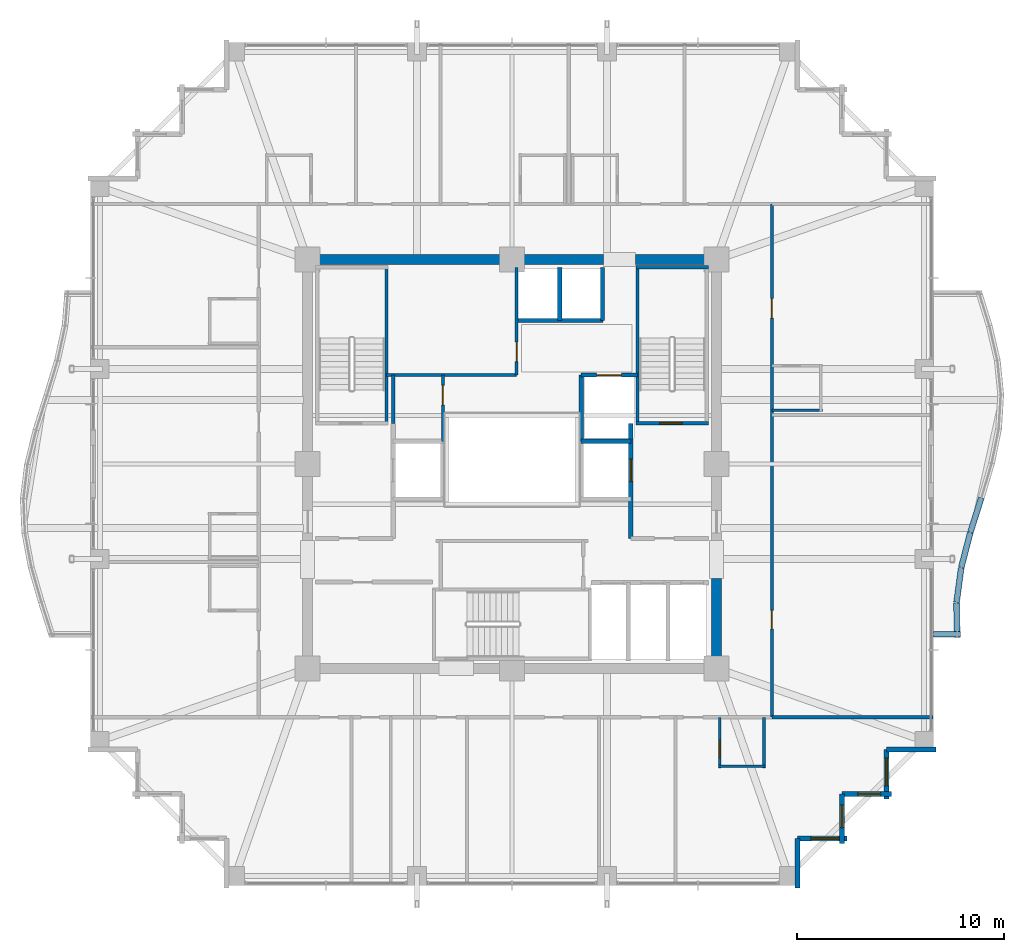
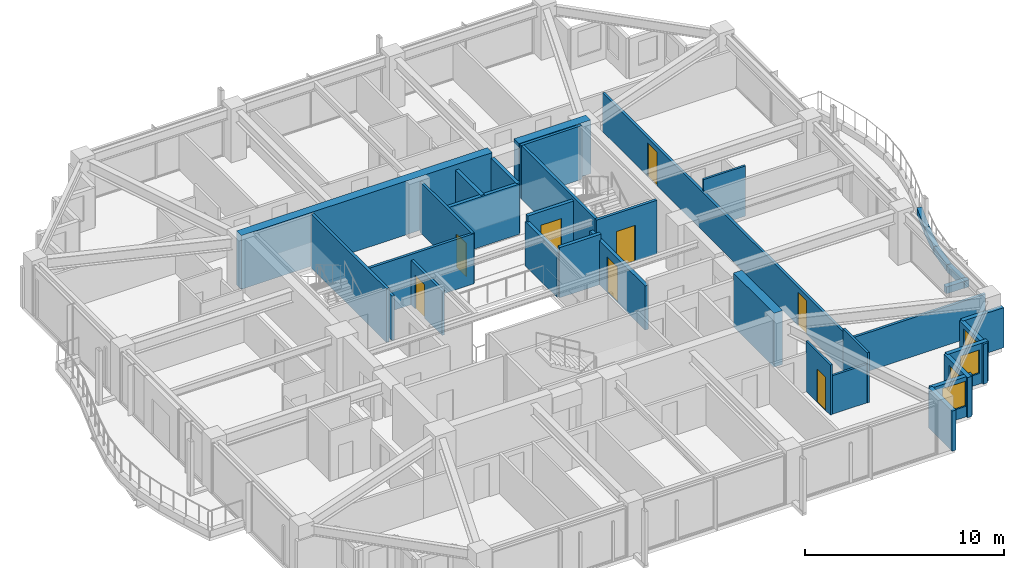
# One storey, part 31 of 35: 35 walls, 8 doors, 4 windows, 12 openings.
"""IFC4 building model written with IfcOpenShell, lengths in metres."""

import ifcopenshell
import ifcopenshell.guid

model = None  # the IFC model being written
_history = None  # IfcOwnerHistory: only IFC2X3 demands one
_inside = {}  # id of a spatial element -> (the spatial element, [elements in it])
_under = {}  # id of a project, library or spatial element -> (it, [spatial elements below it])
_declared = {}  # id of a project -> (the project, [libraries it declares])
_typed = {}  # id of a type object -> (the type object, [elements of that type])
_made_of = {}  # id of a material, layer set ... -> (it, [elements and type objects made of it])


def new_model(schema):
    """Start an empty IFC model of exactly this schema.

    Asked for "IFC4X3", IfcOpenShell would pick the latest addendum, in which some entities
    have other attributes; the version numbers below select the first issue.
    IFC2X3 requires an IfcOwnerHistory on every rooted entity: one is made here for all.
    """
    global model, _history
    if schema == "IFC4X3":
        model = ifcopenshell.file(schema_version=(4, 3, 0, 0))
    else:
        model = ifcopenshell.file(schema=schema)
    _inside.clear()
    _under.clear()
    _declared.clear()
    _typed.clear()
    _made_of.clear()
    _history = None
    if model.schema == "IFC2X3":
        org = make("IfcOrganization", Name="unknown")
        user = make(
            "IfcPersonAndOrganization",
            ThePerson=make("IfcPerson", FamilyName="unknown"),
            TheOrganization=org,
        )
        app = make(
            "IfcApplication",
            ApplicationDeveloper=org,
            Version="unknown",
            ApplicationFullName="unknown",
            ApplicationIdentifier="unknown",
        )
        _history = make(
            "IfcOwnerHistory",
            OwningUser=user,
            OwningApplication=app,
            ChangeAction="ADDED",
            CreationDate=0,
        )
    return model


def make(cls, **values):
    """One entity of the class cls with the attributes given. An attribute that is None is left unset."""
    return model.create_entity(
        cls, **{name: value for name, value in values.items() if value is not None}
    )


def rooted(cls, **values):
    """An entity with a GlobalId (a new one), such as an element, a storey or a relation."""
    return make(cls, GlobalId=ifcopenshell.guid.new(), OwnerHistory=_history, **values)


def si_unit(unit_type, name, prefix=None):
    """IfcSIUnit, for example si_unit("LENGTHUNIT", "METRE", prefix="MILLI")."""
    return make("IfcSIUnit", UnitType=unit_type, Prefix=prefix, Name=name)


def assignment(units):
    """IfcUnitAssignment: the units of a project."""
    return None if units is None else make("IfcUnitAssignment", Units=units)


def point(xyz):
    """IfcCartesianPoint."""
    return None if xyz is None else make("IfcCartesianPoint", Coordinates=xyz)


def direction(xyz):
    """IfcDirection."""
    return None if xyz is None else make("IfcDirection", DirectionRatios=xyz)


def frame(location, z_axis=None, x_axis=None):
    """IfcAxis2Placement3D, a coordinate frame: its origin and axes. An axis left out is left unset."""
    return make(
        "IfcAxis2Placement3D",
        Location=point(location),
        Axis=direction(z_axis),
        RefDirection=direction(x_axis),
    )


def frame_2d(location, x_axis=None):
    """IfcAxis2Placement2D, a coordinate frame in the plane: its origin and x axis."""
    return make(
        "IfcAxis2Placement2D", Location=point(location), RefDirection=direction(x_axis)
    )


def origin():
    """The frame at (0, 0, 0) with its axes left unset."""
    return frame((0.0, 0.0, 0.0))


def place(relative_to, where):
    """IfcLocalPlacement: puts the frame where relative to a parent placement (None: the world)."""
    return make(
        "IfcLocalPlacement", PlacementRelTo=relative_to, RelativePlacement=where
    )


def context(
    kind, dimensions, precision=None, world=None, true_north=None, identifier=None
):
    """IfcGeometricRepresentationContext, for example the 3D "Model" context."""
    return make(
        "IfcGeometricRepresentationContext",
        ContextIdentifier=identifier,
        ContextType=kind,
        CoordinateSpaceDimension=dimensions,
        Precision=precision,
        WorldCoordinateSystem=world,
        TrueNorth=true_north,
    )


def subcontext(parent, identifier, kind, view, scale=None):
    """IfcGeometricRepresentationSubContext, for example "Body" below "Model"."""
    return make(
        "IfcGeometricRepresentationSubContext",
        ContextIdentifier=identifier,
        ContextType=kind,
        ParentContext=parent,
        TargetScale=scale,
        TargetView=view,
    )


def project(units=None, contexts=None):
    """IfcProject with its units and contexts."""
    return rooted(
        "IfcProject",
        Name="project",
        RepresentationContexts=contexts,
        UnitsInContext=assignment(units),
    )


def spatial(cls, under=None, at=None, **own):
    """A site, building, storey or space (cls), placed at a placement, below another one or the project."""
    s = rooted(cls, ObjectPlacement=at, **own)
    if under is not None:
        _under.setdefault(under.id(), (under, []))[1].append(s)
    return s


def profile(cls, at=None, kind="AREA", **sizes):
    """A parametric profile (cls). Its sizes go by their IFC names, for example OverallWidth=200.0."""
    return make(cls, ProfileType=kind, Position=at, **sizes)


def rectangle(**sizes):
    """IfcRectangleProfileDef."""
    return profile("IfcRectangleProfileDef", **sizes)


def extrude(swept, where, along, depth):
    """IfcExtrudedAreaSolid: the profile swept, set in the frame where, extruded along a direction by depth."""
    return make(
        "IfcExtrudedAreaSolid",
        SweptArea=swept,
        Position=where,
        ExtrudedDirection=direction(along),
        Depth=depth,
    )


def shape(context_of_items, identifier, shape_type, items):
    """IfcShapeRepresentation: the items that make up one representation, for example the "Body"."""
    return make(
        "IfcShapeRepresentation",
        ContextOfItems=context_of_items,
        RepresentationIdentifier=identifier,
        RepresentationType=shape_type,
        Items=items,
    )


def material(Name=None, Category=None):
    """IfcMaterial."""
    return make("IfcMaterial", Name=Name, Category=Category)


def layer(
    of_material, thickness, ventilated=None, Name=None, Category=None, Priority=None
):
    """IfcMaterialLayer: one layer of a wall or slab, of a material (None: an air gap)."""
    return make(
        "IfcMaterialLayer",
        Material=of_material,
        LayerThickness=thickness,
        IsVentilated=ventilated,
        Name=Name,
        Category=Category,
        Priority=Priority,
    )


def layer_set(layers, Name=None):
    """IfcMaterialLayerSet."""
    return make("IfcMaterialLayerSet", MaterialLayers=layers, LayerSetName=Name)


def made_of(thing, what):
    """Note that an element or type object is made of a material, layer set ...; save() writes the relation."""
    if what is not None:
        _made_of.setdefault(what.id(), (what, []))[1].append(thing)
    return thing


def type_object(cls, material=None, **own):
    """A type object (cls), such as IfcWallType, which elements share."""
    return made_of(rooted(cls, **own), material)


def element(
    cls,
    number,
    at=None,
    inside=None,
    cuts=None,
    type_object=None,
    material=None,
    context=None,
    identifier="Body",
    shape_type=None,
    held_by="IfcProductDefinitionShape",
    body=None,
    shapes=None,
    **own,
):
    """One element of the class cls, such as IfcWall. Its Tag is "e" and its number.

    at: its placement. inside: the storey or other place that contains it. cuts: it is an
    opening in that element (IfcRelVoidsElement). A single representation is given by context,
    identifier, shape_type and body (its items); several are given by shapes. held_by: the class
    of the entity that holds the representations. save() writes the other relations.
    """
    e = rooted(cls, Tag="e%d" % number, ObjectPlacement=at, **own)
    if body is not None:
        shapes = [shape(context, identifier, shape_type, body)]
    if shapes is not None:
        e.Representation = make(held_by, Representations=shapes)
    if inside is not None:
        _inside.setdefault(inside.id(), (inside, []))[1].append(e)
    if cuts is not None:
        rooted(
            "IfcRelVoidsElement", RelatingBuildingElement=cuts, RelatedOpeningElement=e
        )
    if type_object is not None:
        _typed.setdefault(type_object.id(), (type_object, []))[1].append(e)
    return made_of(e, material)


def fill(opening, filler):
    """IfcRelFillsElement: the door or window that sits in an opening."""
    return rooted(
        "IfcRelFillsElement",
        RelatingOpeningElement=opening,
        RelatedBuildingElement=filler,
    )


def aggregate(whole, parts):
    """IfcRelAggregates: a whole, such as a stair, and the parts it consists of."""
    return rooted("IfcRelAggregates", RelatingObject=whole, RelatedObjects=parts)


def save(model, path):
    """Write the relations noted so far, then the file.

    IfcRelAggregates (storeys below a building ...), IfcRelContainedInSpatialStructure (elements
    in a storey), IfcRelDefinesByType, IfcRelAssociatesMaterial and IfcRelDeclares: one each for
    every whole, place, type object, material and project.
    """
    for whole, parts in _under.values():
        aggregate(whole, parts)
    for where, things in _inside.values():
        rooted(
            "IfcRelContainedInSpatialStructure",
            RelatedElements=things,
            RelatingStructure=where,
        )
    for kind, things in _typed.values():
        rooted("IfcRelDefinesByType", RelatedObjects=things, RelatingType=kind)
    for what, things in _made_of.values():
        rooted("IfcRelAssociatesMaterial", RelatedObjects=things, RelatingMaterial=what)
    for by, libraries in _declared.values():
        rooted("IfcRelDeclares", RelatingContext=by, RelatedDefinitions=libraries)
    model.write(path)


model = new_model("IFC4")

# Units and contexts
model_context = context("Model", 3, precision=1e-05, world=origin(), true_north=direction((0.0, 1.0)))
body_context = subcontext(model_context, "Body", "Model", "MODEL_VIEW")
ifc_project = project(units=[si_unit("LENGTHUNIT", "METRE"), si_unit("AREAUNIT", "SQUARE_METRE"), si_unit("VOLUMEUNIT", "CUBIC_METRE"), si_unit("PLANEANGLEUNIT", "RADIAN"), si_unit("MASSUNIT", "GRAM", prefix="KILO")], contexts=[model_context])

# Site, building, storey
site_placement = place(None, origin())
site = spatial("IfcSite", under=ifc_project, at=site_placement, CompositionType="ELEMENT")
building_placement = place(site_placement, origin())
building = spatial("IfcBuilding", under=site, at=building_placement, Name="Kolvaren Belvedere", CompositionType="ELEMENT")
storey_placement = place(building_placement, frame((0.0, 0.0, 176.699951171875)))
storey = spatial("IfcBuildingStorey", under=building, at=storey_placement, Name="L51", CompositionType="ELEMENT", Elevation=176.699951171875)

# Walls
ifc_material_1 = material(Name="Concrete C50/60", Category="concrete")
ifc_layer_1 = layer(ifc_material_1, 0.5)
ifc_layer_set_1 = layer_set([ifc_layer_1], Name="Concrete C50/60")
wall_type_1 = type_object("IfcWallType", Name="CW-CORE-500", PredefinedType="SHEAR", material=ifc_layer_set_1)
wall_1_placement = place(storey_placement, frame((-10.14990234375, 9.89990234375, 0.0), z_axis=(0.0, 0.0, 1.0), x_axis=(1.0, 0.0, 0.0)))
element("IfcWall", 1, at=wall_1_placement, inside=storey, type_object=wall_type_1, Name="L51 North Core Shear Wall 1", PredefinedType="SHEAR", context=body_context, shape_type="SweptSolid", body=[
    extrude(rectangle(XDim=14.56982421875, YDim=0.5, at=frame_2d((7.284912109375, 0.0))), origin(), (0.0, 0.0, 1.0), 3.300048828125),
])
wall_2_placement = place(storey_placement, frame((5.97998046875, 9.89990234375, 0.0), z_axis=(0.0, 0.0, 1.0), x_axis=(1.0, 0.0, 0.0)))
element("IfcWall", 2, at=wall_2_placement, inside=storey, type_object=wall_type_1, Name="L51 North Core Shear Wall 2", PredefinedType="SHEAR", context=body_context, shape_type="SweptSolid", body=[
    extrude(rectangle(XDim=4.169921875, YDim=0.5, at=frame_2d((2.0849609375, 0.0))), origin(), (0.0, 0.0, 1.0), 3.300048828125),
])
wall_3_placement = place(storey_placement, frame((9.89990234375, -9.64990234375, 0.0), z_axis=(0.0, 0.0, 1.0), x_axis=(0.0, 1.0, 0.0)))
element("IfcWall", 3, at=wall_3_placement, inside=storey, type_object=wall_type_1, Name="L51 East Core Shear Wall 1", PredefinedType="SHEAR", context=body_context, shape_type="SweptSolid", body=[
    extrude(rectangle(XDim=4.099853515625, YDim=0.5, at=frame_2d((2.0498046875, 0.0))), origin(), (0.0, 0.0, 1.0), 3.300048828125),
])
ifc_material_2 = material(Name="Concrete C50/60", Category="concrete")
ifc_layer_2 = layer(ifc_material_2, 0.159912109375)
ifc_layer_set_2 = layer_set([ifc_layer_2], Name="Concrete C50/60")
wall_type_2 = type_object("IfcWallType", Name="CW-STAIR-160", PredefinedType="SHEAR", material=ifc_layer_set_2)
wall_4_placement = place(storey_placement, frame((-6.080078125, 1.969970703125, 0.0), z_axis=(0.0, 0.0, 1.0), x_axis=(0.0, 1.0, 0.0)))
element("IfcWall", 4, at=wall_4_placement, inside=storey, type_object=wall_type_2, Name="L51 Stair ST-1 East Shear Wall", PredefinedType="SHEAR", context=body_context, shape_type="SweptSolid", body=[
    extrude(rectangle(XDim=7.56005859375, YDim=0.159912109375, at=frame_2d((3.780029296875, 0.0))), origin(), (0.0, 0.0, 1.0), 3.300048828125),
])

# Wall, opening, door
wall_5_placement = place(storey_placement, frame((6.0, 1.969970703125, 0.0), z_axis=(0.0, 0.0, 1.0), x_axis=(1.0, 0.0, 0.0)))
wall_5 = element("IfcWall", 5, at=wall_5_placement, inside=storey, type_object=wall_type_2, Name="L51 Stair ST-2 South Shear Wall", PredefinedType="SHEAR", context=body_context, shape_type="SweptSolid", body=[
    extrude(rectangle(XDim=3.52001953125, YDim=0.159912109375, at=frame_2d((1.760009765625, 0.0))), origin(), (0.0, 0.0, 1.0), 3.300048828125),
])
opening_1_placement = place(wall_5_placement, frame((1.14990234375, 0.0, 0.0)))
opening_1 = element("IfcOpeningElement", 6, at=opening_1_placement, cuts=wall_5, Name="Opening D-FD90", PredefinedType="OPENING", context=body_context, shape_type="SweptSolid", body=[
    extrude(rectangle(XDim=1.10009765625, YDim=2.199951171875, at=frame_2d((0.550048828125, 1.10009765625))), frame((0.0, 0.08984375, 0.0), z_axis=(0.0, -1.0, 0.0), x_axis=(1.0, 0.0, 0.0)), (0.0, 0.0, 1.0), 0.179931640625),
])
ifc_material_3 = material(Name="Painted hollow stainless steel", Category="steel")
door_type_1 = type_object("IfcDoorType", Name="DR-FD90-1100", OperationType="NOTDEFINED", PredefinedType="DOOR", material=ifc_material_3)
door_1_placement = place(opening_1_placement, origin())
door_1 = element("IfcDoor", 7, at=door_1_placement, inside=storey, type_object=door_type_1, Name="L51 Stair ST-2 Fire Door", OperationType="SINGLE_SWING_RIGHT", OverallHeight=2.199951171875, OverallWidth=1.10009765625, PredefinedType="DOOR", context=body_context, shape_type="SweptSolid", body=[
    extrude(rectangle(XDim=1.10009765625, YDim=2.199951171875, at=frame_2d((0.550048828125, 1.10009765625))), frame((0.0, 0.02490234375, 0.0), z_axis=(0.0, -1.0, 0.0), x_axis=(1.0, 0.0, 0.0)), (0.0, 0.0, 1.0), 0.050048828125),
])
fill(opening_1, door_1)

# Walls
wall_6_placement = place(storey_placement, frame((6.0, 9.530029296875, 0.0), z_axis=(0.0, 0.0, 1.0), x_axis=(1.0, 0.0, 0.0)))
element("IfcWall", 8, at=wall_6_placement, inside=storey, type_object=wall_type_2, Name="L51 Stair ST-2 North Shear Wall", PredefinedType="SHEAR", context=body_context, shape_type="SweptSolid", body=[
    extrude(rectangle(XDim=3.52001953125, YDim=0.159912109375, at=frame_2d((1.760009765625, 0.0))), origin(), (0.0, 0.0, 1.0), 3.300048828125),
])
wall_7_placement = place(storey_placement, frame((6.080078125, 1.969970703125, 0.0), z_axis=(0.0, 0.0, 1.0), x_axis=(0.0, 1.0, 0.0)))
element("IfcWall", 9, at=wall_7_placement, inside=storey, type_object=wall_type_2, Name="L51 Stair ST-2 West Shear Wall", PredefinedType="SHEAR", context=body_context, shape_type="SweptSolid", body=[
    extrude(rectangle(XDim=7.56005859375, YDim=0.159912109375, at=frame_2d((3.780029296875, 0.0))), origin(), (0.0, 0.0, 1.0), 3.300048828125),
])

# Wall, openings, doors
ifc_material_4 = material(Name="Gypsum fire-rated partition assembly", Category="gypsum")
ifc_layer_3 = layer(ifc_material_4, 0.14990234375)
ifc_layer_set_3 = layer_set([ifc_layer_3], Name="Gypsum fire-rated partition assembly")
wall_type_3 = type_object("IfcWallType", Name="WL-CORR-150", PredefinedType="PARTITIONING", material=ifc_layer_set_3)
wall_8_placement = place(storey_placement, frame((12.580078125, -12.260009765625, 0.0), z_axis=(0.0, 0.0, 1.0), x_axis=(0.0, 1.0, 0.0)))
wall_8 = element("IfcWall", 10, at=wall_8_placement, inside=storey, type_object=wall_type_3, Name="L51 East Corridor Wall", PredefinedType="PARTITIONING", context=body_context, shape_type="SweptSolid", body=[
    extrude(rectangle(XDim=24.840087890625, YDim=0.14990234375, at=frame_2d((12.419921875, 0.0))), origin(), (0.0, 0.0, 1.0), 2.369140625),
])
opening_2_placement = place(wall_8_placement, frame((4.27490234375, 0.0, 0.0)))
opening_2 = element("IfcOpeningElement", 11, at=opening_2_placement, cuts=wall_8, Name="Opening D-INT90", PredefinedType="OPENING", context=body_context, shape_type="SweptSolid", body=[
    extrude(rectangle(XDim=0.89990234375, YDim=2.06005859375, at=frame_2d((0.449951171875, 1.030029296875))), frame((0.0, 0.0849609375, 0.0), z_axis=(0.0, -1.0, 0.0), x_axis=(1.0, 0.0, 0.0)), (0.0, 0.0, 1.0), 0.169921875),
])
opening_3_placement = place(wall_8_placement, frame((19.320068359375, 0.0, 0.0)))
opening_3 = element("IfcOpeningElement", 12, at=opening_3_placement, cuts=wall_8, Name="Opening D-FD60", PredefinedType="OPENING", context=body_context, shape_type="SweptSolid", body=[
    extrude(rectangle(XDim=0.949951171875, YDim=2.06005859375, at=frame_2d((0.47509765625, 1.030029296875))), frame((0.0, 0.0849609375, 0.0), z_axis=(0.0, -1.0, 0.0), x_axis=(1.0, 0.0, 0.0)), (0.0, 0.0, 1.0), 0.169921875),
])
ifc_material_5 = material(Name="Acoustic white-oak fire door leaf", Category="timber")
door_type_2 = type_object("IfcDoorType", Name="DR-FD60-950", OperationType="NOTDEFINED", PredefinedType="DOOR", material=ifc_material_5)
door_2_placement = place(opening_3_placement, origin())
door_2 = element("IfcDoor", 13, at=door_2_placement, inside=storey, type_object=door_type_2, Name="L51 Deluxe King Guest Room 5106 Entry Door", OperationType="SINGLE_SWING_RIGHT", OverallHeight=2.06005859375, OverallWidth=0.949951171875, PredefinedType="DOOR", context=body_context, shape_type="SweptSolid", body=[
    extrude(rectangle(XDim=0.949951171875, YDim=2.06005859375, at=frame_2d((0.47509765625, 1.030029296875))), frame((0.0, 0.02490234375, 0.0), z_axis=(0.0, -1.0, 0.0), x_axis=(1.0, 0.0, 0.0)), (0.0, 0.0, 1.0), 0.050048828125),
])
fill(opening_3, door_2)
ifc_material_6 = material(Name="Stained Pacific white oak", Category="timber")
door_type_3 = type_object("IfcDoorType", Name="DR-INT-900", OperationType="NOTDEFINED", PredefinedType="DOOR", material=ifc_material_6)
door_3_placement = place(opening_2_placement, origin())
door_3 = element("IfcDoor", 14, at=door_3_placement, inside=storey, type_object=door_type_3, Name="L51 Lounge 5105 Door", OperationType="SINGLE_SWING_RIGHT", OverallHeight=2.06005859375, OverallWidth=0.89990234375, PredefinedType="DOOR", context=body_context, shape_type="SweptSolid", body=[
    extrude(rectangle(XDim=0.89990234375, YDim=2.06005859375, at=frame_2d((0.449951171875, 1.030029296875))), frame((0.0, 0.02490234375, 0.0), z_axis=(0.0, -1.0, 0.0), x_axis=(1.0, 0.0, 0.0)), (0.0, 0.0, 1.0), 0.050048828125),
])
fill(opening_2, door_3)

# Wall
ifc_material_7 = material(Name="Insulated pale-metal facade wall assembly", Category="aluminium")
ifc_layer_4 = layer(ifc_material_7, 0.239990234375)
ifc_layer_set_4 = layer_set([ifc_layer_4], Name="Insulated pale-metal facade wall assembly")
wall_type_4 = type_object("IfcWallType", Name="WL-EXT-240", PredefinedType="STANDARD", material=ifc_layer_set_4)
wall_9_placement = place(storey_placement, frame((13.830078125, -18.1298828125, 0.0), z_axis=(0.0, 0.0, 1.0), x_axis=(0.0, -1.0, 0.0)))
element("IfcWall", 15, at=wall_9_placement, inside=storey, type_object=wall_type_4, Name="L51 Serrated Corner Facade Wall 2", PredefinedType="STANDARD", context=body_context, shape_type="SweptSolid", body=[
    extrude(rectangle(XDim=2.39013671875, YDim=0.239990234375, at=frame_2d((1.195068359375, 0.0))), origin(), (0.0, 0.0, 1.0), 2.463134765625),
])

# Wall, opening, window
wall_10_placement = place(storey_placement, frame((16.219970703125, -18.1298828125, 0.0), z_axis=(0.0, 0.0, 1.0), x_axis=(-1.0, 0.0, 0.0)))
wall_10 = element("IfcWall", 16, at=wall_10_placement, inside=storey, type_object=wall_type_4, Name="L51 Serrated Corner Facade Wall 3", PredefinedType="STANDARD", context=body_context, shape_type="SweptSolid", body=[
    extrude(rectangle(XDim=2.389892578125, YDim=0.239990234375, at=frame_2d((1.19482421875, 0.0))), origin(), (0.0, 0.0, 1.0), 2.463134765625),
])
opening_4_placement = place(wall_10_placement, frame((0.39990234375, 0.0, 0.64990234375)))
opening_4 = element("IfcOpeningElement", 17, at=opening_4_placement, cuts=wall_10, Name="Opening W-1350", PredefinedType="OPENING", context=body_context, shape_type="SweptSolid", body=[
    extrude(rectangle(XDim=1.35009765625, YDim=1.550048828125, at=frame_2d((0.675048828125, 0.77490234375))), frame((0.0, 0.1298828125, 0.0), z_axis=(0.0, -1.0, 0.0), x_axis=(1.0, 0.0, 0.0)), (0.0, 0.0, 1.0), 0.260009765625),
])
ifc_material_8 = material(Name="Low-iron triple insulated glass", Category="glass")
window_type_1 = type_object("IfcWindowType", Name="WN-CORN-1350", PartitioningType="SINGLE_PANEL", PredefinedType="WINDOW", material=ifc_material_8)
window_1_placement = place(opening_4_placement, origin())
window_1 = element("IfcWindow", 18, at=window_1_placement, inside=storey, type_object=window_type_1, Name="L51 Serrated Corner Vision Window 3", OverallHeight=1.550048828125, OverallWidth=1.35009765625, PartitioningType="SINGLE_PANEL", PredefinedType="WINDOW", context=body_context, shape_type="SweptSolid", body=[
    extrude(rectangle(XDim=1.35009765625, YDim=1.550048828125, at=frame_2d((0.675048828125, 0.77490234375))), frame((0.0, 0.030029296875, 0.0), z_axis=(0.0, -1.0, 0.0), x_axis=(1.0, 0.0, 0.0)), (0.0, 0.0, 1.0), 0.06005859375),
])
fill(opening_4, window_1)

wall_11_placement = place(storey_placement, frame((15.97998046875, -15.97998046875, 0.0), z_axis=(0.0, 0.0, 1.0), x_axis=(0.0, -1.0, 0.0)))
wall_11 = element("IfcWall", 19, at=wall_11_placement, inside=storey, type_object=wall_type_4, Name="L51 Serrated Corner Facade Wall 4", PredefinedType="STANDARD", context=body_context, shape_type="SweptSolid", body=[
    extrude(rectangle(XDim=2.39013671875, YDim=0.239990234375, at=frame_2d((1.195068359375, 0.0))), origin(), (0.0, 0.0, 1.0), 2.463134765625),
])
opening_5_placement = place(wall_11_placement, frame((0.52490234375, 0.0, 0.64990234375)))
opening_5 = element("IfcOpeningElement", 20, at=opening_5_placement, cuts=wall_11, Name="Opening W-1100", PredefinedType="OPENING", context=body_context, shape_type="SweptSolid", body=[
    extrude(rectangle(XDim=1.10009765625, YDim=1.449951171875, at=frame_2d((0.550048828125, 0.72509765625))), frame((0.0, 0.1298828125, 0.0), z_axis=(0.0, -1.0, 0.0), x_axis=(1.0, 0.0, 0.0)), (0.0, 0.0, 1.0), 0.260009765625),
])
ifc_material_9 = material(Name="Low-iron triple insulated glass", Category="glass")
window_type_2 = type_object("IfcWindowType", Name="WN-CORN-1100", PartitioningType="SINGLE_PANEL", PredefinedType="WINDOW", material=ifc_material_9)
window_2_placement = place(opening_5_placement, origin())
window_2 = element("IfcWindow", 21, at=window_2_placement, inside=storey, type_object=window_type_2, Name="L51 Serrated Corner Vision Window 4", OverallHeight=1.449951171875, OverallWidth=1.10009765625, PartitioningType="SINGLE_PANEL", PredefinedType="WINDOW", context=body_context, shape_type="SweptSolid", body=[
    extrude(rectangle(XDim=1.10009765625, YDim=1.449951171875, at=frame_2d((0.550048828125, 0.72509765625))), frame((0.0, 0.030029296875, 0.0), z_axis=(0.0, -1.0, 0.0), x_axis=(1.0, 0.0, 0.0)), (0.0, 0.0, 1.0), 0.06005859375),
])
fill(opening_5, window_2)

wall_12_placement = place(storey_placement, frame((18.3701171875, -15.97998046875, 0.0), z_axis=(0.0, 0.0, 1.0), x_axis=(-1.0, 0.0, 0.0)))
wall_12 = element("IfcWall", 22, at=wall_12_placement, inside=storey, type_object=wall_type_4, Name="L51 Serrated Corner Facade Wall 5", PredefinedType="STANDARD", context=body_context, shape_type="SweptSolid", body=[
    extrude(rectangle(XDim=2.39013671875, YDim=0.239990234375, at=frame_2d((1.195068359375, 0.0))), origin(), (0.0, 0.0, 1.0), 2.463134765625),
])
opening_6_placement = place(wall_12_placement, frame((0.52490234375, 0.0, 0.64990234375)))
opening_6 = element("IfcOpeningElement", 23, at=opening_6_placement, cuts=wall_12, Name="Opening W-1100", PredefinedType="OPENING", context=body_context, shape_type="SweptSolid", body=[
    extrude(rectangle(XDim=1.10009765625, YDim=1.449951171875, at=frame_2d((0.550048828125, 0.72509765625))), frame((0.0, 0.1298828125, 0.0), z_axis=(0.0, -1.0, 0.0), x_axis=(1.0, 0.0, 0.0)), (0.0, 0.0, 1.0), 0.260009765625),
])
window_3_placement = place(opening_6_placement, origin())
window_3 = element("IfcWindow", 24, at=window_3_placement, inside=storey, type_object=window_type_2, Name="L51 Serrated Corner Vision Window 5", OverallHeight=1.449951171875, OverallWidth=1.10009765625, PartitioningType="SINGLE_PANEL", PredefinedType="WINDOW", context=body_context, shape_type="SweptSolid", body=[
    extrude(rectangle(XDim=1.10009765625, YDim=1.449951171875, at=frame_2d((0.550048828125, 0.72509765625))), frame((0.0, 0.030029296875, 0.0), z_axis=(0.0, -1.0, 0.0), x_axis=(1.0, 0.0, 0.0)), (0.0, 0.0, 1.0), 0.06005859375),
])
fill(opening_6, window_3)

wall_13_placement = place(storey_placement, frame((18.1298828125, -13.830078125, 0.0), z_axis=(0.0, 0.0, 1.0), x_axis=(0.0, -1.0, 0.0)))
wall_13 = element("IfcWall", 25, at=wall_13_placement, inside=storey, type_object=wall_type_4, Name="L51 Serrated Corner Facade Wall 6", PredefinedType="STANDARD", context=body_context, shape_type="SweptSolid", body=[
    extrude(rectangle(XDim=2.389892578125, YDim=0.239990234375, at=frame_2d((1.19482421875, 0.0))), origin(), (0.0, 0.0, 1.0), 2.463134765625),
])
opening_7_placement = place(wall_13_placement, frame((0.39990234375, 0.0, 0.64990234375)))
opening_7 = element("IfcOpeningElement", 26, at=opening_7_placement, cuts=wall_13, Name="Opening W-1350", PredefinedType="OPENING", context=body_context, shape_type="SweptSolid", body=[
    extrude(rectangle(XDim=1.35009765625, YDim=1.550048828125, at=frame_2d((0.675048828125, 0.77490234375))), frame((0.0, 0.1298828125, 0.0), z_axis=(0.0, -1.0, 0.0), x_axis=(1.0, 0.0, 0.0)), (0.0, 0.0, 1.0), 0.260009765625),
])
window_4_placement = place(opening_7_placement, origin())
window_4 = element("IfcWindow", 27, at=window_4_placement, inside=storey, type_object=window_type_1, Name="L51 Serrated Corner Vision Window 6", OverallHeight=1.550048828125, OverallWidth=1.35009765625, PartitioningType="SINGLE_PANEL", PredefinedType="WINDOW", context=body_context, shape_type="SweptSolid", body=[
    extrude(rectangle(XDim=1.35009765625, YDim=1.550048828125, at=frame_2d((0.675048828125, 0.77490234375))), frame((0.0, 0.030029296875, 0.0), z_axis=(0.0, -1.0, 0.0), x_axis=(1.0, 0.0, 0.0)), (0.0, 0.0, 1.0), 0.06005859375),
])
fill(opening_7, window_4)

# Walls
wall_14_placement = place(storey_placement, frame((20.52001953125, -13.830078125, 0.0), z_axis=(0.0, 0.0, 1.0), x_axis=(-1.0, 0.0, 0.0)))
element("IfcWall", 28, at=wall_14_placement, inside=storey, type_object=wall_type_4, Name="L51 Serrated Corner Facade Wall 7", PredefinedType="STANDARD", context=body_context, shape_type="SweptSolid", body=[
    extrude(rectangle(XDim=2.39013671875, YDim=0.239990234375, at=frame_2d((1.195068359375, 0.0))), origin(), (0.0, 0.0, 1.0), 2.463134765625),
])
ifc_material_10 = material(Name="Gypsum acoustic partition assembly", Category="gypsum")
ifc_layer_5 = layer(ifc_material_10, 0.14990234375)
ifc_layer_set_5 = layer_set([ifc_layer_5], Name="Gypsum acoustic partition assembly")
wall_type_5 = type_object("IfcWallType", Name="WL-PART-150", PredefinedType="PARTITIONING", material=ifc_layer_set_5)
wall_15_placement = place(storey_placement, frame((-6.080078125, 4.300048828125, 0.0), z_axis=(0.0, 0.0, 1.0), x_axis=(1.0, 0.0, 0.0)))
element("IfcWall", 29, at=wall_15_placement, inside=storey, type_object=wall_type_5, Name="L51 Reclaimed Salon South Wall", PredefinedType="PARTITIONING", context=body_context, shape_type="SweptSolid", body=[
    extrude(rectangle(XDim=6.300048828125, YDim=0.14990234375, at=frame_2d((3.14990234375, 0.0))), origin(), (0.0, 0.0, 1.0), 3.080078125),
])

# Wall, opening, door
wall_16_placement = place(storey_placement, frame((0.219970703125, 4.300048828125, 0.0), z_axis=(0.0, 0.0, 1.0), x_axis=(0.0, 1.0, 0.0)))
wall_16 = element("IfcWall", 30, at=wall_16_placement, inside=storey, type_object=wall_type_5, Name="L51 Reclaimed Salon East Wall", PredefinedType="PARTITIONING", context=body_context, shape_type="SweptSolid", body=[
    extrude(rectangle(XDim=5.219970703125, YDim=0.14990234375, at=frame_2d((2.60986328125, 0.0))), origin(), (0.0, 0.0, 1.0), 3.080078125),
])
opening_8_placement = place(wall_16_placement, frame((0.64990234375, 0.0, 0.0)))
opening_8 = element("IfcOpeningElement", 31, at=opening_8_placement, cuts=wall_16, Name="Opening D-INT95", PredefinedType="OPENING", context=body_context, shape_type="SweptSolid", body=[
    extrude(rectangle(XDim=0.949951171875, YDim=2.06005859375, at=frame_2d((0.47509765625, 1.030029296875))), frame((0.0, 0.0849609375, 0.0), z_axis=(0.0, -1.0, 0.0), x_axis=(1.0, 0.0, 0.0)), (0.0, 0.0, 1.0), 0.169921875),
])
ifc_material_11 = material(Name="Stained Pacific white oak", Category="timber")
door_type_4 = type_object("IfcDoorType", Name="DR-INT-950", OperationType="NOTDEFINED", PredefinedType="DOOR", material=ifc_material_11)
door_4_placement = place(opening_8_placement, origin())
door_4 = element("IfcDoor", 32, at=door_4_placement, inside=storey, type_object=door_type_4, Name="L51 Botanical Reading Salon Door", OperationType="SINGLE_SWING_LEFT", OverallHeight=2.06005859375, OverallWidth=0.949951171875, PredefinedType="DOOR", context=body_context, shape_type="SweptSolid", body=[
    extrude(rectangle(XDim=0.949951171875, YDim=2.06005859375, at=frame_2d((0.47509765625, 1.030029296875))), frame((0.0, 0.02490234375, 0.0), z_axis=(0.0, -1.0, 0.0), x_axis=(1.0, 0.0, 0.0)), (0.0, 0.0, 1.0), 0.050048828125),
])
fill(opening_8, door_4)

wall_17_placement = place(storey_placement, frame((-3.35009765625, 1.10009765625, 0.0), z_axis=(0.0, 0.0, 1.0), x_axis=(0.0, 1.0, 0.0)))
wall_17 = element("IfcWall", 33, at=wall_17_placement, inside=storey, type_object=wall_type_5, Name="L51 NW Service Room East Wall", PredefinedType="PARTITIONING", context=body_context, shape_type="SweptSolid", body=[
    extrude(rectangle(XDim=3.199951171875, YDim=0.14990234375, at=frame_2d((1.60009765625, 0.0))), origin(), (0.0, 0.0, 1.0), 2.715087890625),
])
opening_9_placement = place(wall_17_placement, frame((1.75, 0.0, 0.0)))
opening_9 = element("IfcOpeningElement", 34, at=opening_9_placement, cuts=wall_17, Name="Opening D-FD60", PredefinedType="OPENING", context=body_context, shape_type="SweptSolid", body=[
    extrude(rectangle(XDim=0.949951171875, YDim=2.06005859375, at=frame_2d((0.47509765625, 1.030029296875))), frame((0.0, 0.0849609375, 0.0), z_axis=(0.0, -1.0, 0.0), x_axis=(1.0, 0.0, 0.0)), (0.0, 0.0, 1.0), 0.169921875),
])
door_5_placement = place(opening_9_placement, origin())
door_5 = element("IfcDoor", 35, at=door_5_placement, inside=storey, type_object=door_type_2, Name="L51 NW Core Store Door", OperationType="SINGLE_SWING_LEFT", OverallHeight=2.06005859375, OverallWidth=0.949951171875, PredefinedType="DOOR", context=body_context, shape_type="SweptSolid", body=[
    extrude(rectangle(XDim=0.949951171875, YDim=2.06005859375, at=frame_2d((0.47509765625, 1.030029296875))), frame((0.0, 0.02490234375, 0.0), z_axis=(0.0, -1.0, 0.0), x_axis=(1.0, 0.0, 0.0)), (0.0, 0.0, 1.0), 0.050048828125),
])
fill(opening_9, door_5)

# Walls
wall_18_placement = place(storey_placement, frame((-5.75, 1.969970703125, 0.0), z_axis=(0.0, 0.0, 1.0), x_axis=(0.0, 1.0, 0.0)))
element("IfcWall", 36, at=wall_18_placement, inside=storey, type_object=wall_type_5, Name="L51 NW Service Room West Wall", PredefinedType="PARTITIONING", context=body_context, shape_type="SweptSolid", body=[
    extrude(rectangle(XDim=2.330078125, YDim=0.14990234375, at=frame_2d((1.1650390625, 0.0))), origin(), (0.0, 0.0, 1.0), 2.715087890625),
])
wall_19_placement = place(storey_placement, frame((12.580078125, -12.260009765625, 0.0), z_axis=(0.0, 0.0, 1.0), x_axis=(1.0, 0.0, 0.0)))
element("IfcWall", 37, at=wall_19_placement, inside=storey, type_object=wall_type_5, Name="L51 Wing Divider PW-L51-QSE", PredefinedType="PARTITIONING", context=body_context, shape_type="SweptSolid", body=[
    extrude(rectangle(XDim=7.7998046875, YDim=0.14990234375, at=frame_2d((3.89990234375, 0.0))), origin(), (0.0, 0.0, 1.0), 2.369140625),
])
ifc_material_12 = material(Name="Precast concrete C40/50", Category="concrete")
ifc_layer_6 = layer(ifc_material_12, 0.300048828125)
ifc_layer_set_6 = layer_set([ifc_layer_6], Name="Precast concrete C40/50")
wall_type_6 = type_object("IfcWallType", Name="WL-PLANTER-300", PredefinedType="PARAPET", material=ifc_layer_set_6)
wall_20_placement = place(storey_placement, frame((21.552978515625, -8.4033203125, -0.0400390625), z_axis=(0.0, 0.0, 1.0), x_axis=(-0.020193498486, 0.99979609052, 0.0)))
element("IfcWall", 38, at=wall_20_placement, inside=storey, type_object=wall_type_6, Name="L51 Precast Structural Planter Wall BAL-E-1", PredefinedType="PARAPET", context=body_context, shape_type="SweptSolid", body=[
    extrude(rectangle(XDim=1.680419921875, YDim=0.280029296875, at=frame_2d((0.84033203125, 0.0))), origin(), (0.0, 0.0, 1.0), 0.420166015625),
])
wall_21_placement = place(storey_placement, frame((21.5205078125, -6.698486328125, -0.0400390625), z_axis=(0.0, 0.0, 1.0), x_axis=(0.134907602079, 0.990858183042, 0.0)))
element("IfcWall", 39, at=wall_21_placement, inside=storey, type_object=wall_type_6, Name="L51 Precast Structural Planter Wall BAL-E-2", PredefinedType="PARAPET", context=body_context, shape_type="SweptSolid", body=[
    extrude(rectangle(XDim=1.695556640625, YDim=0.280029296875, at=frame_2d((0.84765625, 0.0))), origin(), (0.0, 0.0, 1.0), 0.420166015625),
])
wall_22_placement = place(storey_placement, frame((21.7529296875, -5.0, -0.0400390625), z_axis=(0.0, 0.0, 1.0), x_axis=(0.250405556038, 0.968141031826, 0.0)))
element("IfcWall", 40, at=wall_22_placement, inside=storey, type_object=wall_type_6, Name="L51 Precast Structural Planter Wall BAL-E-3", PredefinedType="PARAPET", context=body_context, shape_type="SweptSolid", body=[
    extrude(rectangle(XDim=1.7353515625, YDim=0.280029296875, at=frame_2d((0.86767578125, 0.0))), origin(), (0.0, 0.0, 1.0), 0.420166015625),
])
wall_23_placement = place(storey_placement, frame((22.18994140625, -3.3115234375, -0.0400390625), z_axis=(0.0, 0.0, 1.0), x_axis=(0.302397356111, 0.953181954832, 0.0)))
element("IfcWall", 41, at=wall_23_placement, inside=storey, type_object=wall_type_6, Name="L51 Precast Structural Planter Wall BAL-E-4", PredefinedType="PARAPET", context=body_context, shape_type="SweptSolid", body=[
    extrude(rectangle(XDim=1.762451171875, YDim=0.280029296875, at=frame_2d((0.88134765625, 0.0))), origin(), (0.0, 0.0, 1.0), 0.420166015625),
])
wall_24_placement = place(storey_placement, frame((20.39990234375, -8.239990234375, -0.0400390625), z_axis=(0.0, 0.0, 1.0), x_axis=(1.0, 0.0, 0.0)))
element("IfcWall", 42, at=wall_24_placement, inside=storey, type_object=wall_type_6, Name="L51 Precast Structural Planter Wall BAL-E-22", PredefinedType="PARAPET", context=body_context, shape_type="SweptSolid", body=[
    extrude(rectangle(XDim=1.31298828125, YDim=0.280029296875, at=frame_2d((0.656494140625, 0.0))), origin(), (0.0, 0.0, 1.0), 0.420166015625),
])

# Wall, opening, door
ifc_material_13 = material(Name="Concrete C50/60", Category="concrete")
ifc_layer_7 = layer(ifc_material_13, 0.199951171875)
ifc_layer_set_7 = layer_set([ifc_layer_7], Name="Concrete C50/60")
wall_type_7 = type_object("IfcWallType", Name="WL-SHAFT-200", PredefinedType="SOLIDWALL", material=ifc_layer_set_7)
wall_25_placement = place(storey_placement, frame((5.75, -3.60009765625, 0.0), z_axis=(0.0, 0.0, 1.0), x_axis=(0.0, 1.0, 0.0)))
wall_25 = element("IfcWall", 43, at=wall_25_placement, inside=storey, type_object=wall_type_7, Name="L51 FSAE FS2 Landing Wall", PredefinedType="SOLIDWALL", context=body_context, shape_type="SweptSolid", body=[
    extrude(rectangle(XDim=5.570068359375, YDim=0.199951171875, at=frame_2d((2.78515625, 0.0))), origin(), (0.0, 0.0, 1.0), 2.715087890625),
])
opening_10_placement = place(wall_25_placement, frame((2.75, 0.0, 0.0)))
opening_10 = element("IfcOpeningElement", 44, at=opening_10_placement, cuts=wall_25, Name="Opening LD-11", PredefinedType="OPENING", context=body_context, shape_type="SweptSolid", body=[
    extrude(rectangle(XDim=1.10009765625, YDim=2.199951171875, at=frame_2d((0.550048828125, 1.10009765625))), frame((0.0, 0.10986328125, 0.0), z_axis=(0.0, -1.0, 0.0), x_axis=(1.0, 0.0, 0.0)), (0.0, 0.0, 1.0), 0.219970703125),
])
ifc_material_14 = material(Name="Brushed stainless steel", Category="steel")
door_type_5 = type_object("IfcDoorType", Name="DR-LIFT-1100", OperationType="DOUBLE_DOOR_SLIDING", PredefinedType="DOOR", material=ifc_material_14)
door_6_placement = place(opening_10_placement, origin())
door_6 = element("IfcDoor", 45, at=door_6_placement, inside=storey, type_object=door_type_5, Name="L51 Firefighting Lift FS2 Landing Door", OperationType="DOUBLE_DOOR_SLIDING", OverallHeight=2.199951171875, OverallWidth=1.10009765625, PredefinedType="DOOR", context=body_context, shape_type="SweptSolid", body=[
    extrude(rectangle(XDim=1.10009765625, YDim=2.199951171875, at=frame_2d((0.550048828125, 1.10009765625))), frame((0.0, 0.02490234375, 0.0), z_axis=(0.0, -1.0, 0.0), x_axis=(1.0, 0.0, 0.0)), (0.0, 0.0, 1.0), 0.050048828125),
])
fill(opening_10, door_6)

# Wall
wall_26_placement = place(storey_placement, frame((3.35009765625, 1.10009765625, 0.0), z_axis=(0.0, 0.0, 1.0), x_axis=(1.0, 0.0, 0.0)))
element("IfcWall", 46, at=wall_26_placement, inside=storey, type_object=wall_type_7, Name="L51 FSAE FS2 North Wall", PredefinedType="SOLIDWALL", context=body_context, shape_type="SweptSolid", body=[
    extrude(rectangle(XDim=2.39990234375, YDim=0.199951171875, at=frame_2d((1.199951171875, 0.0))), origin(), (0.0, 0.0, 1.0), 3.080078125),
])

# Wall, opening, door
wall_27_placement = place(storey_placement, frame((3.35009765625, 4.300048828125, 0.0), z_axis=(0.0, 0.0, 1.0), x_axis=(1.0, 0.0, 0.0)))
wall_27 = element("IfcWall", 47, at=wall_27_placement, inside=storey, type_object=wall_type_7, Name="L51 Service Lift SV1 Front Wall", PredefinedType="SOLIDWALL", context=body_context, shape_type="SweptSolid", body=[
    extrude(rectangle(XDim=2.72998046875, YDim=0.199951171875, at=frame_2d((1.364990234375, 0.0))), origin(), (0.0, 0.0, 1.0), 3.080078125),
])
opening_11_placement = place(wall_27_placement, frame((0.75, 0.0, 0.0)))
opening_11 = element("IfcOpeningElement", 48, at=opening_11_placement, cuts=wall_27, Name="Opening LD-12", PredefinedType="OPENING", context=body_context, shape_type="SweptSolid", body=[
    extrude(rectangle(XDim=1.199951171875, YDim=2.25, at=frame_2d((0.60009765625, 1.125))), frame((0.0, 0.10986328125, 0.0), z_axis=(0.0, -1.0, 0.0), x_axis=(1.0, 0.0, 0.0)), (0.0, 0.0, 1.0), 0.219970703125),
])
ifc_material_15 = material(Name="Brushed stainless steel", Category="steel")
door_type_6 = type_object("IfcDoorType", Name="DR-LIFT-1200", OperationType="DOUBLE_DOOR_SLIDING", PredefinedType="DOOR", material=ifc_material_15)
door_7_placement = place(opening_11_placement, origin())
door_7 = element("IfcDoor", 49, at=door_7_placement, inside=storey, type_object=door_type_6, Name="L51 Service Lift SV1 Landing Door", OperationType="DOUBLE_DOOR_SLIDING", OverallHeight=2.25, OverallWidth=1.199951171875, PredefinedType="DOOR", context=body_context, shape_type="SweptSolid", body=[
    extrude(rectangle(XDim=1.199951171875, YDim=2.25, at=frame_2d((0.60009765625, 1.125))), frame((0.0, 0.02490234375, 0.0), z_axis=(0.0, -1.0, 0.0), x_axis=(1.0, 0.0, 0.0)), (0.0, 0.0, 1.0), 0.050048828125),
])
fill(opening_11, door_7)

# Walls
wall_28_placement = place(storey_placement, frame((3.35009765625, 1.10009765625, 0.0), z_axis=(0.0, 0.0, 1.0), x_axis=(0.0, 1.0, 0.0)))
element("IfcWall", 50, at=wall_28_placement, inside=storey, type_object=wall_type_7, Name="L51 Service Lift SV1 West Wall", PredefinedType="SOLIDWALL", context=body_context, shape_type="SweptSolid", body=[
    extrude(rectangle(XDim=3.199951171875, YDim=0.199951171875, at=frame_2d((1.60009765625, 0.0))), origin(), (0.0, 0.0, 1.0), 2.715087890625),
])
wall_29_placement = place(storey_placement, frame((0.219970703125, 6.949951171875, 0.0), z_axis=(0.0, 0.0, 1.0), x_axis=(1.0, 0.0, 0.0)))
element("IfcWall", 51, at=wall_29_placement, inside=storey, type_object=wall_type_7, Name="L51 Express Shuttle Hoistway Wall", PredefinedType="SOLIDWALL", context=body_context, shape_type="SweptSolid", body=[
    extrude(rectangle(XDim=4.179931640625, YDim=0.199951171875, at=frame_2d((2.08984375, 0.0))), origin(), (0.0, 0.0, 1.0), 3.080078125),
])
for number, where, z_axis, x_axis, name in (
    (52, (4.3798828125, 6.949951171875, 0.0), (0.0, 0.0, 1.0), (0.0, 1.0, 0.0), "L51 Express Shuttle East Wall"),
    (53, (2.31005859375, 6.949951171875, 0.0), (0.0, 0.0, 1.0), (0.0, 1.0, 0.0), "L51 Express Shuttle Divider"),
):
    element("IfcWall", number, at=place(storey_placement, frame(where, z_axis=z_axis, x_axis=x_axis)), inside=storey, type_object=wall_type_7, Name=name, PredefinedType="SOLIDWALL", context=body_context, shape_type="SweptSolid", body=[
        extrude(rectangle(XDim=2.570068359375, YDim=0.199951171875, at=frame_2d((1.28515625, 0.0))), origin(), (0.0, 0.0, 1.0), 3.080078125),
    ])

# Wall, opening, door
ifc_material_16 = material(Name="Moisture-resistant gypsum partition", Category="gypsum")
ifc_layer_8 = layer(ifc_material_16, 0.125)
ifc_layer_set_8 = layer_set([ifc_layer_8], Name="Moisture-resistant gypsum partition")
wall_type_8 = type_object("IfcWallType", Name="WL-WET-125", PredefinedType="PARTITIONING", material=ifc_layer_set_8)
wall_30_placement = place(storey_placement, frame((10.051025390625, -14.715087890625, 0.0), z_axis=(0.0, 0.0, 1.0), x_axis=(0.0, 1.0, 0.0)))
wall_30 = element("IfcWall", 54, at=wall_30_placement, inside=storey, type_object=wall_type_8, Name="L51 Bathroom Partition PW-L51-BTH-4-E", PredefinedType="PARTITIONING", context=body_context, shape_type="SweptSolid", body=[
    extrude(rectangle(XDim=2.440185546875, YDim=0.125, at=frame_2d((1.22021484375, 0.0))), origin(), (0.0, 0.0, 1.0), 3.080078125),
])
opening_12_placement = place(wall_30_placement, frame((0.5, 0.0, 0.0)))
opening_12 = element("IfcOpeningElement", 55, at=opening_12_placement, cuts=wall_30, Name="Opening D-BTH85", PredefinedType="OPENING", context=body_context, shape_type="SweptSolid", body=[
    extrude(rectangle(XDim=0.85009765625, YDim=2.030029296875, at=frame_2d((0.425048828125, 1.01513671875))), frame((0.0, 0.072509765625, 0.0), z_axis=(0.0, -1.0, 0.0), x_axis=(1.0, 0.0, 0.0)), (0.0, 0.0, 1.0), 0.14501953125),
])
ifc_material_17 = material(Name="Moisture-sealed Pacific white oak", Category="timber")
door_type_7 = type_object("IfcDoorType", Name="DR-BATH-850", OperationType="NOTDEFINED", PredefinedType="DOOR", material=ifc_material_17)
door_8_placement = place(opening_12_placement, origin())
door_8 = element("IfcDoor", 56, at=door_8_placement, inside=storey, type_object=door_type_7, Name="L51 En-Suite Bathroom 5104 Door", OperationType="SINGLE_SWING_RIGHT", OverallHeight=2.030029296875, OverallWidth=0.85009765625, PredefinedType="DOOR", context=body_context, shape_type="SweptSolid", body=[
    extrude(rectangle(XDim=0.85009765625, YDim=2.030029296875, at=frame_2d((0.425048828125, 1.01513671875))), frame((0.0, 0.02490234375, 0.0), z_axis=(0.0, -1.0, 0.0), x_axis=(1.0, 0.0, 0.0)), (0.0, 0.0, 1.0), 0.050048828125),
])
fill(opening_12, door_8)

# Walls
wall_31_placement = place(storey_placement, frame((9.990966796875, -14.635009765625, 0.0), z_axis=(0.0, 0.0, 1.0), x_axis=(1.0, 0.0, 0.0)))
element("IfcWall", 57, at=wall_31_placement, inside=storey, type_object=wall_type_8, Name="L51 Bathroom Partition PW-L51-BTH-4-H", PredefinedType="PARTITIONING", context=body_context, shape_type="SweptSolid", body=[
    extrude(rectangle(XDim=2.27001953125, YDim=0.125, at=frame_2d((1.135009765625, 0.0))), origin(), (0.0, 0.0, 1.0), 2.369140625),
])
wall_32_placement = place(storey_placement, frame((12.200927734375, -14.715087890625, 0.0), z_axis=(0.0, 0.0, 1.0), x_axis=(0.0, 1.0, 0.0)))
element("IfcWall", 58, at=wall_32_placement, inside=storey, type_object=wall_type_8, Name="L51 Bathroom Partition PW-L51-BTH-4-W", PredefinedType="PARTITIONING", context=body_context, shape_type="SweptSolid", body=[
    extrude(rectangle(XDim=2.440185546875, YDim=0.125, at=frame_2d((1.22021484375, 0.0))), origin(), (0.0, 0.0, 1.0), 3.080078125),
])
wall_33_placement = place(storey_placement, frame((12.594970703125, 2.60888671875, 0.0), z_axis=(0.0, 0.0, 1.0), x_axis=(1.0, 0.0, 0.0)))
element("IfcWall", 59, at=wall_33_placement, inside=storey, type_object=wall_type_8, Name="L51 Bathroom Partition PW-L51-BTH-6-S", PredefinedType="PARTITIONING", context=body_context, shape_type="SweptSolid", body=[
    extrude(rectangle(XDim=2.43994140625, YDim=0.125, at=frame_2d((1.219970703125, 0.0))), origin(), (0.0, 0.0, 1.0), 3.080078125),
])

save(model, "model.ifc")
